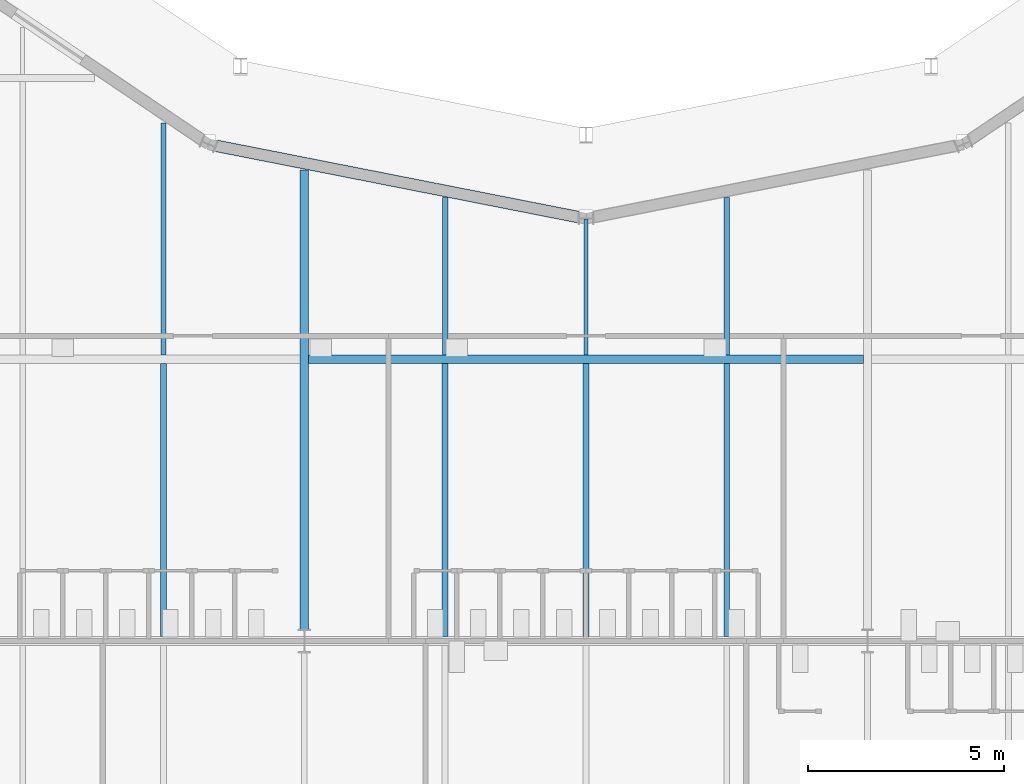
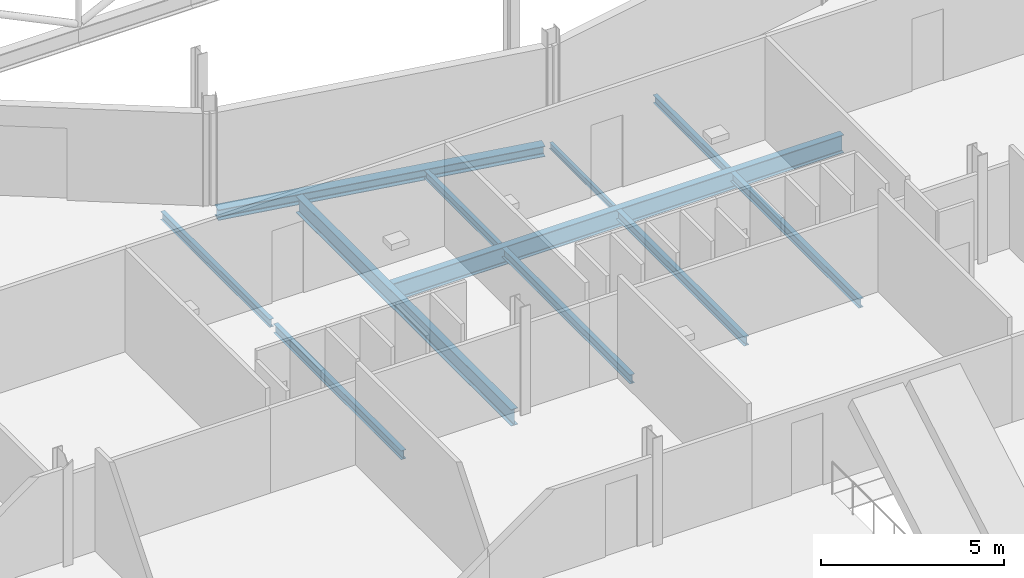
# One storey, part 37 of 143: 11 beams.
"""IFC4 building model written with IfcOpenShell, lengths in metres."""

import ifcopenshell
import ifcopenshell.guid

model = None  # the IFC model being written
_history = None  # IfcOwnerHistory: only IFC2X3 demands one
_inside = {}  # id of a spatial element -> (the spatial element, [elements in it])
_under = {}  # id of a project, library or spatial element -> (it, [spatial elements below it])
_declared = {}  # id of a project -> (the project, [libraries it declares])
_typed = {}  # id of a type object -> (the type object, [elements of that type])
_made_of = {}  # id of a material, layer set ... -> (it, [elements and type objects made of it])


def new_model(schema):
    """Start an empty IFC model of exactly this schema.

    Asked for "IFC4X3", IfcOpenShell would pick the latest addendum, in which some entities
    have other attributes; the version numbers below select the first issue.
    IFC2X3 requires an IfcOwnerHistory on every rooted entity: one is made here for all.
    """
    global model, _history
    if schema == "IFC4X3":
        model = ifcopenshell.file(schema_version=(4, 3, 0, 0))
    else:
        model = ifcopenshell.file(schema=schema)
    _inside.clear()
    _under.clear()
    _declared.clear()
    _typed.clear()
    _made_of.clear()
    _history = None
    if model.schema == "IFC2X3":
        org = make("IfcOrganization", Name="unknown")
        user = make(
            "IfcPersonAndOrganization",
            ThePerson=make("IfcPerson", FamilyName="unknown"),
            TheOrganization=org,
        )
        app = make(
            "IfcApplication",
            ApplicationDeveloper=org,
            Version="unknown",
            ApplicationFullName="unknown",
            ApplicationIdentifier="unknown",
        )
        _history = make(
            "IfcOwnerHistory",
            OwningUser=user,
            OwningApplication=app,
            ChangeAction="ADDED",
            CreationDate=0,
        )
    return model


def make(cls, **values):
    """One entity of the class cls with the attributes given. An attribute that is None is left unset."""
    return model.create_entity(
        cls, **{name: value for name, value in values.items() if value is not None}
    )


def rooted(cls, **values):
    """An entity with a GlobalId (a new one), such as an element, a storey or a relation."""
    return make(cls, GlobalId=ifcopenshell.guid.new(), OwnerHistory=_history, **values)


def si_unit(unit_type, name, prefix=None):
    """IfcSIUnit, for example si_unit("LENGTHUNIT", "METRE", prefix="MILLI")."""
    return make("IfcSIUnit", UnitType=unit_type, Prefix=prefix, Name=name)


def assignment(units):
    """IfcUnitAssignment: the units of a project."""
    return None if units is None else make("IfcUnitAssignment", Units=units)


def point(xyz):
    """IfcCartesianPoint."""
    return None if xyz is None else make("IfcCartesianPoint", Coordinates=xyz)


def direction(xyz):
    """IfcDirection."""
    return None if xyz is None else make("IfcDirection", DirectionRatios=xyz)


def frame(location, z_axis=None, x_axis=None):
    """IfcAxis2Placement3D, a coordinate frame: its origin and axes. An axis left out is left unset."""
    return make(
        "IfcAxis2Placement3D",
        Location=point(location),
        Axis=direction(z_axis),
        RefDirection=direction(x_axis),
    )


def frame_2d(location, x_axis=None):
    """IfcAxis2Placement2D, a coordinate frame in the plane: its origin and x axis."""
    return make(
        "IfcAxis2Placement2D", Location=point(location), RefDirection=direction(x_axis)
    )


def origin():
    """The frame at (0, 0, 0) with its axes left unset."""
    return frame((0.0, 0.0, 0.0))


def origin_2d():
    """The frame at (0, 0) in the plane with its x axis left unset."""
    return frame_2d((0.0, 0.0))


def place(relative_to, where):
    """IfcLocalPlacement: puts the frame where relative to a parent placement (None: the world)."""
    return make(
        "IfcLocalPlacement", PlacementRelTo=relative_to, RelativePlacement=where
    )


def context(
    kind, dimensions, precision=None, world=None, true_north=None, identifier=None
):
    """IfcGeometricRepresentationContext, for example the 3D "Model" context."""
    return make(
        "IfcGeometricRepresentationContext",
        ContextIdentifier=identifier,
        ContextType=kind,
        CoordinateSpaceDimension=dimensions,
        Precision=precision,
        WorldCoordinateSystem=world,
        TrueNorth=true_north,
    )


def subcontext(parent, identifier, kind, view, scale=None):
    """IfcGeometricRepresentationSubContext, for example "Body" below "Model"."""
    return make(
        "IfcGeometricRepresentationSubContext",
        ContextIdentifier=identifier,
        ContextType=kind,
        ParentContext=parent,
        TargetScale=scale,
        TargetView=view,
    )


def project(units=None, contexts=None):
    """IfcProject with its units and contexts."""
    return rooted(
        "IfcProject",
        Name="project",
        RepresentationContexts=contexts,
        UnitsInContext=assignment(units),
    )


def spatial(cls, under=None, at=None, **own):
    """A site, building, storey or space (cls), placed at a placement, below another one or the project."""
    s = rooted(cls, ObjectPlacement=at, **own)
    if under is not None:
        _under.setdefault(under.id(), (under, []))[1].append(s)
    return s


def profile(cls, at=None, kind="AREA", **sizes):
    """A parametric profile (cls). Its sizes go by their IFC names, for example OverallWidth=200.0."""
    return make(cls, ProfileType=kind, Position=at, **sizes)


def i_section(**sizes):
    """IfcIShapeProfileDef."""
    return profile("IfcIShapeProfileDef", **sizes)


def extrude(swept, where, along, depth):
    """IfcExtrudedAreaSolid: the profile swept, set in the frame where, extruded along a direction by depth."""
    return make(
        "IfcExtrudedAreaSolid",
        SweptArea=swept,
        Position=where,
        ExtrudedDirection=direction(along),
        Depth=depth,
    )


def shape(context_of_items, identifier, shape_type, items):
    """IfcShapeRepresentation: the items that make up one representation, for example the "Body"."""
    return make(
        "IfcShapeRepresentation",
        ContextOfItems=context_of_items,
        RepresentationIdentifier=identifier,
        RepresentationType=shape_type,
        Items=items,
    )


def material(Name=None, Category=None):
    """IfcMaterial."""
    return make("IfcMaterial", Name=Name, Category=Category)


def material_profile(
    of_material, cross_section, Name=None, Category=None, Priority=None
):
    """IfcMaterialProfile: a cross section and its material."""
    return make(
        "IfcMaterialProfile",
        Name=Name,
        Material=of_material,
        Profile=cross_section,
        Priority=Priority,
        Category=Category,
    )


def profile_set(profiles, Name=None, composite=None):
    """IfcMaterialProfileSet."""
    return make(
        "IfcMaterialProfileSet",
        Name=Name,
        MaterialProfiles=profiles,
        CompositeProfile=composite,
    )


def made_of(thing, what):
    """Note that an element or type object is made of a material, layer set ...; save() writes the relation."""
    if what is not None:
        _made_of.setdefault(what.id(), (what, []))[1].append(thing)
    return thing


def type_object(cls, material=None, **own):
    """A type object (cls), such as IfcWallType, which elements share."""
    return made_of(rooted(cls, **own), material)


def element(
    cls,
    number,
    at=None,
    inside=None,
    cuts=None,
    type_object=None,
    material=None,
    context=None,
    identifier="Body",
    shape_type=None,
    held_by="IfcProductDefinitionShape",
    body=None,
    shapes=None,
    **own,
):
    """One element of the class cls, such as IfcWall. Its Tag is "e" and its number.

    at: its placement. inside: the storey or other place that contains it. cuts: it is an
    opening in that element (IfcRelVoidsElement). A single representation is given by context,
    identifier, shape_type and body (its items); several are given by shapes. held_by: the class
    of the entity that holds the representations. save() writes the other relations.
    """
    e = rooted(cls, Tag="e%d" % number, ObjectPlacement=at, **own)
    if body is not None:
        shapes = [shape(context, identifier, shape_type, body)]
    if shapes is not None:
        e.Representation = make(held_by, Representations=shapes)
    if inside is not None:
        _inside.setdefault(inside.id(), (inside, []))[1].append(e)
    if cuts is not None:
        rooted(
            "IfcRelVoidsElement", RelatingBuildingElement=cuts, RelatedOpeningElement=e
        )
    if type_object is not None:
        _typed.setdefault(type_object.id(), (type_object, []))[1].append(e)
    return made_of(e, material)


def aggregate(whole, parts):
    """IfcRelAggregates: a whole, such as a stair, and the parts it consists of."""
    return rooted("IfcRelAggregates", RelatingObject=whole, RelatedObjects=parts)


def save(model, path):
    """Write the relations noted so far, then the file.

    IfcRelAggregates (storeys below a building ...), IfcRelContainedInSpatialStructure (elements
    in a storey), IfcRelDefinesByType, IfcRelAssociatesMaterial and IfcRelDeclares: one each for
    every whole, place, type object, material and project.
    """
    for whole, parts in _under.values():
        aggregate(whole, parts)
    for where, things in _inside.values():
        rooted(
            "IfcRelContainedInSpatialStructure",
            RelatedElements=things,
            RelatingStructure=where,
        )
    for kind, things in _typed.values():
        rooted("IfcRelDefinesByType", RelatedObjects=things, RelatingType=kind)
    for what, things in _made_of.values():
        rooted("IfcRelAssociatesMaterial", RelatedObjects=things, RelatingMaterial=what)
    for by, libraries in _declared.values():
        rooted("IfcRelDeclares", RelatingContext=by, RelatedDefinitions=libraries)
    model.write(path)


model = new_model("IFC4")

# Units and contexts
model_context = context("Model", 3, precision=1e-05, world=origin(), true_north=direction((0.0, 1.0)))
body_context = subcontext(model_context, "Body", "Model", "MODEL_VIEW")
ifc_project = project(units=[si_unit("LENGTHUNIT", "METRE"), si_unit("AREAUNIT", "SQUARE_METRE"), si_unit("VOLUMEUNIT", "CUBIC_METRE"), si_unit("PLANEANGLEUNIT", "RADIAN"), si_unit("MASSUNIT", "GRAM", prefix="KILO")], contexts=[model_context])

# Site, building, storey
site_placement = place(None, origin())
site = spatial("IfcSite", under=ifc_project, at=site_placement, CompositionType="ELEMENT")
building_placement = place(site_placement, origin())
building = spatial("IfcBuilding", under=site, at=building_placement, Name="Kupolbacken Congress Centre", CompositionType="ELEMENT")
storey_placement = place(building_placement, frame((0.0, 0.0, 7.199951171875)))
storey = spatial("IfcBuildingStorey", under=building, at=storey_placement, Name="L02", CompositionType="ELEMENT", Elevation=7.199951171875)

# Beams
ifc_material_1 = material(Name="Steel S355", Category="steel")
ifc_material_profile_1 = material_profile(ifc_material_1, i_section(OverallWidth=0.10009765625, OverallDepth=0.199951171875, WebThickness=0.005615234375, FlangeThickness=0.008544921875, FilletRadius=0.011962890625, at=origin_2d()), Name="IPE 200")
ifc_profile_set_1 = profile_set([ifc_material_profile_1], Name="Steel S355")
beam_type_1 = type_object("IfcBeamType", Name="B01 beam IPE 200", PredefinedType="BEAM", material=ifc_profile_set_1)
beam_1_placement = place(storey_placement, frame((43.199951171875, 57.7099609375, -0.280029296875), z_axis=(0.0, 1.0, 0.0), x_axis=(-1.0, 0.0, 0.0)))
element("IfcBeam", 1, at=beam_1_placement, inside=storey, type_object=beam_type_1, Name="S/floor/P/L02/S117", PredefinedType="BEAM", context=body_context, shape_type="SweptSolid", body=[
    extrude(i_section(OverallWidth=0.10009765625, OverallDepth=0.199951171875, WebThickness=0.005615234375, FlangeThickness=0.008544921875, FilletRadius=0.011962890625, at=origin_2d()), origin(), (0.0, 0.0, 1.0), 3.4833984375),
])
ifc_material_2 = material(Name="Steel S355", Category="steel")
ifc_material_profile_2 = material_profile(ifc_material_2, i_section(OverallWidth=0.135009765625, OverallDepth=0.27001953125, WebThickness=0.006591796875, FlangeThickness=0.01025390625, FilletRadius=0.014892578125, at=origin_2d()), Name="IPE 270")
ifc_profile_set_2 = profile_set([ifc_material_profile_2], Name="Steel S355")
beam_type_2 = type_object("IfcBeamType", Name="B03 beam IPE 270", PredefinedType="BEAM", material=ifc_profile_set_2)
beam_2_placement = place(storey_placement, frame((32.39990234375, 57.7099609375, -0.31494140625), z_axis=(0.0, 1.0, 0.0), x_axis=(-1.0, 0.0, 0.0)))
element("IfcBeam", 2, at=beam_2_placement, inside=storey, type_object=beam_type_2, Name="S/floor/P/L02/S109", PredefinedType="BEAM", context=body_context, shape_type="SweptSolid", body=[
    extrude(i_section(OverallWidth=0.135009765625, OverallDepth=0.27001953125, WebThickness=0.006591796875, FlangeThickness=0.01025390625, FilletRadius=0.014892578125, at=origin_2d()), origin(), (0.0, 0.0, 1.0), 5.939697265625),
])
for number, where, z_axis, x_axis, name in (
    (3, (39.60009765625, 57.7099609375, -0.31494140625), (0.0, 1.0, 0.0), (-1.0, 0.0, 0.0), "S/floor/P/L02/S113"),
    (4, (46.800048828125, 57.7099609375, -0.31494140625), (0.0, 1.0, 0.0), (-1.0, 0.0, 0.0), "S/floor/P/L02/S121"),
):
    element("IfcBeam", number, at=place(storey_placement, frame(where, z_axis=z_axis, x_axis=x_axis)), inside=storey, type_object=beam_type_2, Name=name, PredefinedType="BEAM", context=body_context, shape_type="SweptSolid", body=[
        extrude(i_section(OverallWidth=0.135009765625, OverallDepth=0.27001953125, WebThickness=0.006591796875, FlangeThickness=0.01025390625, FilletRadius=0.014892578125, at=origin_2d()), origin(), (0.0, 0.0, 1.0), 4.03271484375),
    ])
ifc_material_3 = material(Name="Steel S355", Category="steel")
ifc_material_profile_3 = material_profile(ifc_material_3, i_section(OverallWidth=0.14990234375, OverallDepth=0.300048828125, WebThickness=0.007080078125, FlangeThickness=0.0107421875, FilletRadius=0.014892578125, at=origin_2d()), Name="IPE 300")
ifc_profile_set_3 = profile_set([ifc_material_profile_3], Name="Steel S355")
beam_type_3 = type_object("IfcBeamType", Name="B04 beam IPE 300", PredefinedType="BEAM", material=ifc_profile_set_3)
for number, where, z_axis, x_axis, name in (
    (5, (32.39990234375, 50.510009765625, -0.329833984375), (0.0, 1.0, 0.0), (-1.0, 0.0, 0.0), "S/floor/P/L02/S108"),
    (6, (39.60009765625, 50.510009765625, -0.329833984375), (0.0, 1.0, 0.0), (-1.0, 0.0, 0.0), "S/floor/P/L02/S112"),
    (7, (43.199951171875, 50.510009765625, -0.329833984375), (0.0, 1.0, 0.0), (-1.0, 0.0, 0.0), "S/floor/P/L02/S116"),
    (8, (46.800048828125, 50.510009765625, -0.329833984375), (0.0, 1.0, 0.0), (-1.0, 0.0, 0.0), "S/floor/P/L02/S120"),
):
    element("IfcBeam", number, at=place(storey_placement, frame(where, z_axis=z_axis, x_axis=x_axis)), inside=storey, type_object=beam_type_3, Name=name, PredefinedType="BEAM", context=body_context, shape_type="SweptSolid", body=[
        extrude(i_section(OverallWidth=0.14990234375, OverallDepth=0.300048828125, WebThickness=0.007080078125, FlangeThickness=0.0107421875, FilletRadius=0.014892578125, at=origin_2d()), origin(), (0.0, 0.0, 1.0), 6.97998046875),
    ])
ifc_material_4 = material(Name="Steel S355", Category="steel")
ifc_material_profile_4 = material_profile(ifc_material_4, i_section(OverallWidth=0.2099609375, OverallDepth=0.550048828125, WebThickness=0.010986328125, FlangeThickness=0.01708984375, FilletRadius=0.02392578125, at=origin_2d()), Name="IPE 550")
ifc_profile_set_4 = profile_set([ifc_material_profile_4], Name="Steel S355")
beam_type_4 = type_object("IfcBeamType", Name="B10 beam IPE 550", PredefinedType="BEAM", material=ifc_profile_set_4)
beam_3_placement = place(storey_placement, frame((36.0, 50.699951171875, -0.454833984375), z_axis=(0.0, 1.0, 0.0), x_axis=(-1.0, 0.0, 0.0)))
element("IfcBeam", 9, at=beam_3_placement, inside=storey, type_object=beam_type_4, Name="S/floor/P/L02/G025", PredefinedType="BEAM", context=body_context, shape_type="SweptSolid", body=[
    extrude(i_section(OverallWidth=0.2099609375, OverallDepth=0.550048828125, WebThickness=0.010986328125, FlangeThickness=0.01708984375, FilletRadius=0.02392578125, at=origin_2d()), origin(), (0.0, 0.0, 1.0), 11.744140625),
])
ifc_material_5 = material(Name="Steel S355", Category="steel")
ifc_material_profile_5 = material_profile(ifc_material_5, i_section(OverallWidth=0.219970703125, OverallDepth=0.60009765625, WebThickness=0.011962890625, FlangeThickness=0.01904296875, FilletRadius=0.02392578125, at=origin_2d()), Name="IPE 600")
ifc_profile_set_5 = profile_set([ifc_material_profile_5], Name="Steel S355")
beam_type_5 = type_object("IfcBeamType", Name="B11 beam IPE 600", PredefinedType="BEAM", material=ifc_profile_set_5)
beam_4_placement = place(storey_placement, frame((36.10498046875, 57.60009765625, -0.47998046875), z_axis=(1.0, 0.0, 0.0), x_axis=(0.0, 1.0, 0.0)))
element("IfcBeam", 10, at=beam_4_placement, inside=storey, type_object=beam_type_5, Name="S/floor/P/L02/R040", PredefinedType="BEAM", context=body_context, shape_type="SweptSolid", body=[
    extrude(i_section(OverallWidth=0.219970703125, OverallDepth=0.60009765625, WebThickness=0.011962890625, FlangeThickness=0.01904296875, FilletRadius=0.02392578125, at=origin_2d()), origin(), (0.0, 0.0, 1.0), 14.18994140625),
])
ifc_material_6 = material(Name="Steel S355", Category="steel")
ifc_material_profile_6 = material_profile(ifc_material_6, i_section(OverallWidth=0.300048828125, OverallDepth=0.35009765625, WebThickness=0.010009765625, FlangeThickness=0.017578125, FilletRadius=0.027099609375, at=origin_2d()), Name="HEA 360")
ifc_profile_set_6 = profile_set([ifc_material_profile_6], Name="Steel S355")
beam_type_6 = type_object("IfcBeamType", Name="B13 beam HEA 360", PredefinedType="BEAM", material=ifc_profile_set_6)
beam_5_placement = place(storey_placement, frame((33.750244140625, 63.060546875, -0.35498046875), z_axis=(0.981160993376, -0.193191886678, 0.0), x_axis=(0.193191886678, 0.981160993376, 0.0)))
element("IfcBeam", 11, at=beam_5_placement, inside=storey, type_object=beam_type_6, Name="S/floor/P/L02/C012", PredefinedType="BEAM", context=body_context, shape_type="SweptSolid", body=[
    extrude(i_section(OverallWidth=0.300048828125, OverallDepth=0.35009765625, WebThickness=0.010009765625, FlangeThickness=0.017578125, FilletRadius=0.027099609375, at=origin_2d()), origin(), (0.0, 0.0, 1.0), 9.42724609375),
])

save(model, "model.ifc")
